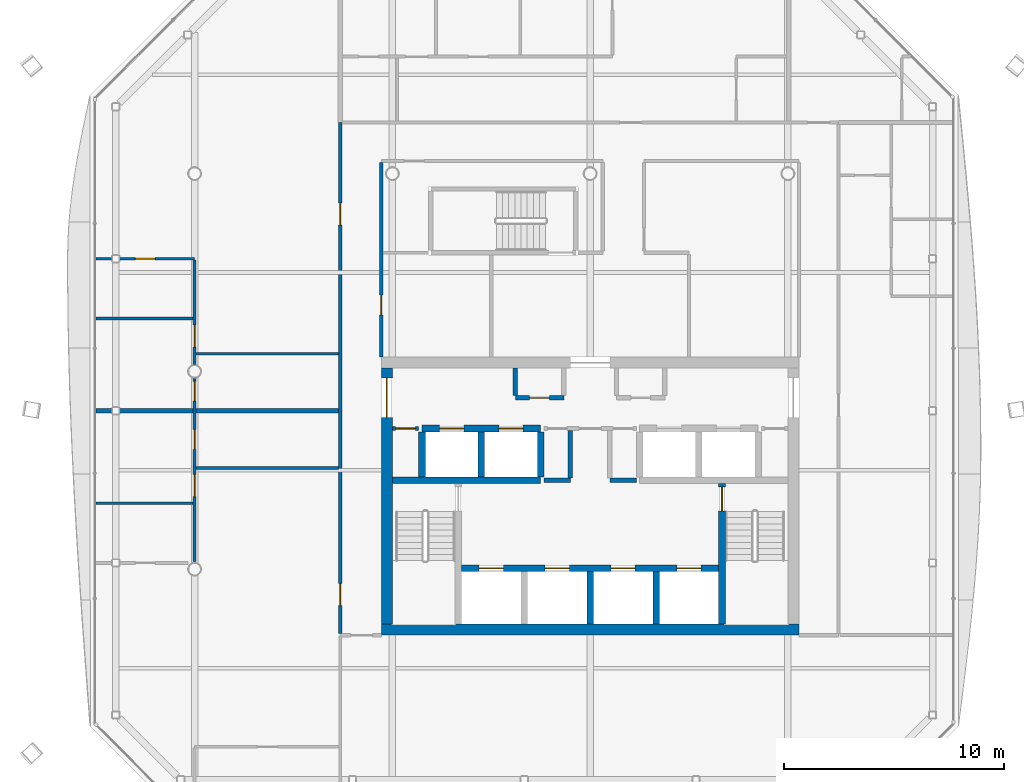
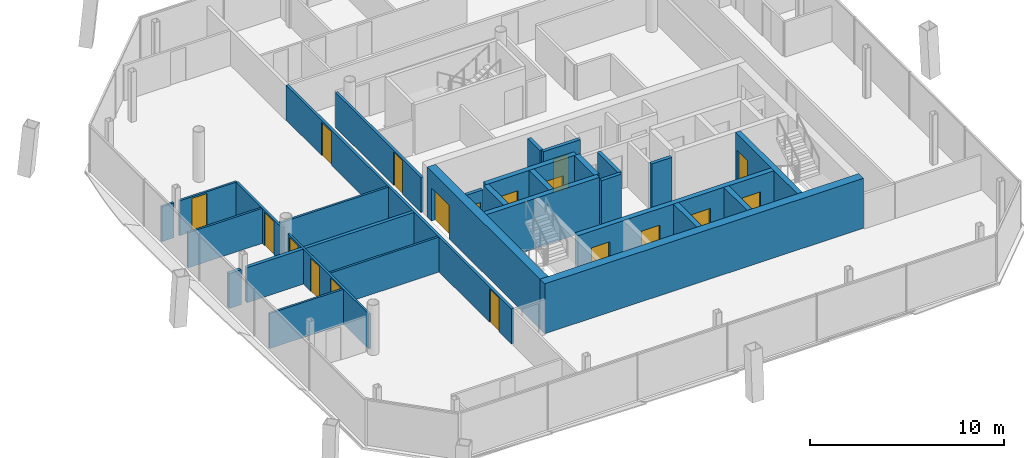
# One storey, part 13 of 19: 29 walls, 18 doors, 18 openings.
"""IFC4 building model written with IfcOpenShell, lengths in metres."""

from ifc_helpers import new_model, si_unit, direction, frame, frame_2d, origin, place, context, subcontext, project, spatial, rectangle, extrude, material, layer, layer_set, type_object, element, fill, save


model = new_model("IFC4")

# Units and contexts
model_context = context("Model", 3, precision=1e-05, world=origin(), true_north=direction((0.0, 1.0)))
body_context = subcontext(model_context, "Body", "Model", "MODEL_VIEW")
ifc_project = project(units=[si_unit("LENGTHUNIT", "METRE"), si_unit("AREAUNIT", "SQUARE_METRE"), si_unit("VOLUMEUNIT", "CUBIC_METRE"), si_unit("PLANEANGLEUNIT", "RADIAN"), si_unit("MASSUNIT", "GRAM", prefix="KILO")], contexts=[model_context])

# Site, building, storey
site_placement = place(None, origin())
site = spatial("IfcSite", under=ifc_project, at=site_placement, CompositionType="ELEMENT")
building_placement = place(site_placement, origin())
building = spatial("IfcBuilding", under=site, at=building_placement, Name="Tskaro Facet Tower", CompositionType="ELEMENT")
storey_placement = place(building_placement, frame((0.0, 0.0, 203.699951171875)))
storey = spatial("IfcBuildingStorey", under=building, at=storey_placement, Name="L52", CompositionType="ELEMENT", Elevation=203.699951171875)

# Wall, openings, doors
ifc_material_1 = material(Name="Concrete C60/75", Category="concrete")
ifc_layer_1 = layer(ifc_material_1, 0.300048828125, Name="Concrete C60/75")
ifc_layer_set_1 = layer_set([ifc_layer_1], Name="Concrete C60/75")
wall_type_1 = type_object("IfcWallType", Name="CORE-SHAFT", PredefinedType="SHEAR", material=ifc_layer_set_1)
wall_1_placement = place(storey_placement, frame((-5.85009765625, -8.949951171875, 0.0), z_axis=(0.0, 0.0, 1.0), x_axis=(1.0, 0.0, 0.0)))
wall_1 = element("IfcWall", 1, at=wall_1_placement, inside=storey, type_object=wall_type_1, Name="Shaft wall W005", PredefinedType="SHEAR", context=body_context, shape_type="SweptSolid", body=[
    extrude(rectangle(XDim=11.7001953125, YDim=0.300048828125, at=frame_2d((5.85009765625, 0.0))), origin(), (0.0, 0.0, 1.0), 3.150146484375),
])
opening_1_placement = place(wall_1_placement, frame((0.800048828125, 0.0, 0.0)))
opening_1 = element("IfcOpeningElement", 2, at=opening_1_placement, cuts=wall_1, Name="Opening LD-FF1", PredefinedType="OPENING", context=body_context, shape_type="SweptSolid", body=[
    extrude(rectangle(XDim=1.10009765625, YDim=2.10009765625, at=frame_2d((0.550048828125, 1.050048828125))), frame((0.0, 0.159912109375, 0.0), z_axis=(0.0, -1.0, 0.0), x_axis=(1.0, 0.0, 0.0)), (0.0, 0.0, 1.0), 0.320068359375),
])
opening_2_placement = place(wall_1_placement, frame((3.800048828125, 0.0, 0.0)))
opening_2 = element("IfcOpeningElement", 3, at=opening_2_placement, cuts=wall_1, Name="Opening LD-FF2", PredefinedType="OPENING", context=body_context, shape_type="SweptSolid", body=[
    extrude(rectangle(XDim=1.10009765625, YDim=2.10009765625, at=frame_2d((0.550048828125, 1.050048828125))), frame((0.0, 0.159912109375, 0.0), z_axis=(0.0, -1.0, 0.0), x_axis=(1.0, 0.0, 0.0)), (0.0, 0.0, 1.0), 0.320068359375),
])
opening_3_placement = place(wall_1_placement, frame((6.800048828125, 0.0, 0.0)))
opening_3 = element("IfcOpeningElement", 4, at=opening_3_placement, cuts=wall_1, Name="Opening LD-SV1", PredefinedType="OPENING", context=body_context, shape_type="SweptSolid", body=[
    extrude(rectangle(XDim=1.10009765625, YDim=2.10009765625, at=frame_2d((0.550048828125, 1.050048828125))), frame((0.0, 0.159912109375, 0.0), z_axis=(0.0, -1.0, 0.0), x_axis=(1.0, 0.0, 0.0)), (0.0, 0.0, 1.0), 0.320068359375),
])
opening_4_placement = place(wall_1_placement, frame((9.800048828125, 0.0, 0.0)))
opening_4 = element("IfcOpeningElement", 5, at=opening_4_placement, cuts=wall_1, Name="Opening LD-SV2", PredefinedType="OPENING", context=body_context, shape_type="SweptSolid", body=[
    extrude(rectangle(XDim=1.10009765625, YDim=2.10009765625, at=frame_2d((0.550048828125, 1.050048828125))), frame((0.0, 0.159912109375, 0.0), z_axis=(0.0, -1.0, 0.0), x_axis=(1.0, 0.0, 0.0)), (0.0, 0.0, 1.0), 0.320068359375),
])
ifc_material_2 = material(Name="Stainless steel", Category="steel")
door_type_1 = type_object("IfcDoorType", Name="D-LANDING", OperationType="NOTDEFINED", PredefinedType="DOOR", material=ifc_material_2)
door_1_placement = place(opening_1_placement, origin())
door_1 = element("IfcDoor", 6, at=door_1_placement, inside=storey, type_object=door_type_1, Name="Landing door FF1", OperationType="DOUBLE_DOOR_SLIDING", OverallHeight=2.10009765625, OverallWidth=1.10009765625, PredefinedType="DOOR", context=body_context, shape_type="SweptSolid", body=[
    extrude(rectangle(XDim=1.10009765625, YDim=2.10009765625, at=frame_2d((0.550048828125, 1.050048828125))), frame((0.0, 0.02490234375, 0.0), z_axis=(0.0, -1.0, 0.0), x_axis=(1.0, 0.0, 0.0)), (0.0, 0.0, 1.0), 0.050048828125),
])
fill(opening_1, door_1)
door_2_placement = place(opening_2_placement, origin())
door_2 = element("IfcDoor", 7, at=door_2_placement, inside=storey, type_object=door_type_1, Name="Landing door FF2", OperationType="DOUBLE_DOOR_SLIDING", OverallHeight=2.10009765625, OverallWidth=1.10009765625, PredefinedType="DOOR", context=body_context, shape_type="SweptSolid", body=[
    extrude(rectangle(XDim=1.10009765625, YDim=2.10009765625, at=frame_2d((0.550048828125, 1.050048828125))), frame((0.0, 0.02490234375, 0.0), z_axis=(0.0, -1.0, 0.0), x_axis=(1.0, 0.0, 0.0)), (0.0, 0.0, 1.0), 0.050048828125),
])
fill(opening_2, door_2)
door_3_placement = place(opening_3_placement, origin())
door_3 = element("IfcDoor", 8, at=door_3_placement, inside=storey, type_object=door_type_1, Name="Landing door SV1", OperationType="DOUBLE_DOOR_SLIDING", OverallHeight=2.10009765625, OverallWidth=1.10009765625, PredefinedType="DOOR", context=body_context, shape_type="SweptSolid", body=[
    extrude(rectangle(XDim=1.10009765625, YDim=2.10009765625, at=frame_2d((0.550048828125, 1.050048828125))), frame((0.0, 0.02490234375, 0.0), z_axis=(0.0, -1.0, 0.0), x_axis=(1.0, 0.0, 0.0)), (0.0, 0.0, 1.0), 0.050048828125),
])
fill(opening_3, door_3)
door_4_placement = place(opening_4_placement, origin())
door_4 = element("IfcDoor", 9, at=door_4_placement, inside=storey, type_object=door_type_1, Name="Landing door SV2", OperationType="DOUBLE_DOOR_SLIDING", OverallHeight=2.10009765625, OverallWidth=1.10009765625, PredefinedType="DOOR", context=body_context, shape_type="SweptSolid", body=[
    extrude(rectangle(XDim=1.10009765625, YDim=2.10009765625, at=frame_2d((0.550048828125, 1.050048828125))), frame((0.0, 0.02490234375, 0.0), z_axis=(0.0, -1.0, 0.0), x_axis=(1.0, 0.0, 0.0)), (0.0, 0.0, 1.0), 0.050048828125),
])
fill(opening_4, door_4)

# Wall
wall_2_placement = place(storey_placement, frame((-9.0, -4.949951171875, 0.0), z_axis=(0.0, 0.0, 1.0), x_axis=(1.0, 0.0, 0.0)))
element("IfcWall", 10, at=wall_2_placement, inside=storey, type_object=wall_type_1, Name="Shaft wall W009", PredefinedType="SHEAR", context=body_context, shape_type="SweptSolid", body=[
    extrude(rectangle(XDim=6.75, YDim=0.300048828125, at=frame_2d((3.375, 0.0))), origin(), (0.0, 0.0, 1.0), 3.150146484375),
])

# Wall, openings, doors
wall_3_placement = place(storey_placement, frame((-7.64990234375, -2.60009765625, 0.0), z_axis=(0.0, 0.0, 1.0), x_axis=(1.0, 0.0, 0.0)))
wall_3 = element("IfcWall", 11, at=wall_3_placement, inside=storey, type_object=wall_type_1, Name="Shaft wall W015", PredefinedType="SHEAR", context=body_context, shape_type="SweptSolid", body=[
    extrude(rectangle(XDim=5.39990234375, YDim=0.300048828125, at=frame_2d((2.699951171875, 0.0))), origin(), (0.0, 0.0, 1.0), 3.150146484375),
])
opening_5_placement = place(wall_3_placement, frame((0.800048828125, 0.0, 0.0)))
opening_5 = element("IfcOpeningElement", 12, at=opening_5_placement, cuts=wall_3, Name="Opening LD-HB1", PredefinedType="OPENING", context=body_context, shape_type="SweptSolid", body=[
    extrude(rectangle(XDim=1.10009765625, YDim=2.10009765625, at=frame_2d((0.550048828125, 1.050048828125))), frame((0.0, 0.159912109375, 0.0), z_axis=(0.0, -1.0, 0.0), x_axis=(1.0, 0.0, 0.0)), (0.0, 0.0, 1.0), 0.320068359375),
])
opening_6_placement = place(wall_3_placement, frame((3.5, 0.0, 0.0)))
opening_6 = element("IfcOpeningElement", 13, at=opening_6_placement, cuts=wall_3, Name="Opening LD-HB2", PredefinedType="OPENING", context=body_context, shape_type="SweptSolid", body=[
    extrude(rectangle(XDim=1.10009765625, YDim=2.10009765625, at=frame_2d((0.550048828125, 1.050048828125))), frame((0.0, 0.159912109375, 0.0), z_axis=(0.0, -1.0, 0.0), x_axis=(1.0, 0.0, 0.0)), (0.0, 0.0, 1.0), 0.320068359375),
])
door_5_placement = place(opening_5_placement, origin())
door_5 = element("IfcDoor", 14, at=door_5_placement, inside=storey, type_object=door_type_1, Name="Landing door HB1", OperationType="DOUBLE_DOOR_SLIDING", OverallHeight=2.10009765625, OverallWidth=1.10009765625, PredefinedType="DOOR", context=body_context, shape_type="SweptSolid", body=[
    extrude(rectangle(XDim=1.10009765625, YDim=2.10009765625, at=frame_2d((0.550048828125, 1.050048828125))), frame((0.0, 0.02490234375, 0.0), z_axis=(0.0, -1.0, 0.0), x_axis=(1.0, 0.0, 0.0)), (0.0, 0.0, 1.0), 0.050048828125),
])
fill(opening_5, door_5)
door_6_placement = place(opening_6_placement, origin())
door_6 = element("IfcDoor", 15, at=door_6_placement, inside=storey, type_object=door_type_1, Name="Landing door HB2", OperationType="DOUBLE_DOOR_SLIDING", OverallHeight=2.10009765625, OverallWidth=1.10009765625, PredefinedType="DOOR", context=body_context, shape_type="SweptSolid", body=[
    extrude(rectangle(XDim=1.10009765625, YDim=2.10009765625, at=frame_2d((0.550048828125, 1.050048828125))), frame((0.0, 0.02490234375, 0.0), z_axis=(0.0, -1.0, 0.0), x_axis=(1.0, 0.0, 0.0)), (0.0, 0.0, 1.0), 0.050048828125),
])
fill(opening_6, door_6)

# Walls
for number, where, z_axis, x_axis, name in (
    (16, (-7.64990234375, -4.800048828125, 0.0), (0.0, 0.0, 1.0), (0.0, 1.0, 0.0), "Shaft wall W051"),
    (17, (-4.949951171875, -4.800048828125, 0.0), (0.0, 0.0, 1.0), (0.0, 1.0, 0.0), "Shaft wall W056"),
    (18, (-2.25, -4.800048828125, 0.0), (0.0, 0.0, 1.0), (0.0, 1.0, 0.0), "Shaft wall W061"),
):
    element("IfcWall", number, at=place(storey_placement, frame(where, z_axis=z_axis, x_axis=x_axis)), inside=storey, type_object=wall_type_1, Name=name, PredefinedType="SHEAR", context=body_context, shape_type="SweptSolid", body=[
        extrude(rectangle(XDim=2.050048828125, YDim=0.300048828125, at=frame_2d((1.02490234375, 0.0))), origin(), (0.0, 0.0, 1.0), 3.150146484375),
    ])
for number, where, z_axis, x_axis, name in (
    (19, (0.0, -11.5, 0.0), (0.0, 0.0, 1.0), (0.0, 1.0, 0.0), "Shaft wall W065"),
    (20, (3.0, -11.5, 0.0), (0.0, 0.0, 1.0), (0.0, 1.0, 0.0), "Shaft wall W073"),
):
    element("IfcWall", number, at=place(storey_placement, frame(where, z_axis=z_axis, x_axis=x_axis)), inside=storey, type_object=wall_type_1, Name=name, PredefinedType="SHEAR", context=body_context, shape_type="SweptSolid", body=[
        extrude(rectangle(XDim=2.39990234375, YDim=0.300048828125, at=frame_2d((1.199951171875, 0.0))), origin(), (0.0, 0.0, 1.0), 3.150146484375),
    ])

# Wall, opening, door
wall_4_placement = place(storey_placement, frame((6.0, -5.10009765625, 0.0), z_axis=(0.0, 0.0, 1.0), x_axis=(0.0, -1.0, 0.0)))
wall_4 = element("IfcWall", 21, at=wall_4_placement, inside=storey, type_object=wall_type_1, Name="Shaft wall W077", PredefinedType="SHEAR", context=body_context, shape_type="SweptSolid", body=[
    extrude(rectangle(XDim=6.39990234375, YDim=0.300048828125, at=frame_2d((3.199951171875, 0.0))), origin(), (0.0, 0.0, 1.0), 3.150146484375),
])
opening_7_placement = place(wall_4_placement, frame((0.14990234375, 0.0, 0.0)))
opening_7 = element("IfcOpeningElement", 22, at=opening_7_placement, cuts=wall_4, Name="Opening ST-2-D1", PredefinedType="OPENING", context=body_context, shape_type="SweptSolid", body=[
    extrude(rectangle(XDim=1.10009765625, YDim=2.10009765625, at=frame_2d((0.550048828125, 1.050048828125))), frame((0.0, 0.159912109375, 0.0), z_axis=(0.0, -1.0, 0.0), x_axis=(1.0, 0.0, 0.0)), (0.0, 0.0, 1.0), 0.320068359375),
])
ifc_material_3 = material(Name="Steel", Category="steel")
door_type_2 = type_object("IfcDoorType", Name="D-STAIR", OperationType="NOTDEFINED", PredefinedType="DOOR", material=ifc_material_3)
door_7_placement = place(opening_7_placement, origin())
door_7 = element("IfcDoor", 23, at=door_7_placement, inside=storey, type_object=door_type_2, Name="Stair door 2", OperationType="SINGLE_SWING_RIGHT", OverallHeight=2.10009765625, OverallWidth=1.10009765625, PredefinedType="DOOR", context=body_context, shape_type="SweptSolid", body=[
    extrude(rectangle(XDim=1.10009765625, YDim=2.10009765625, at=frame_2d((0.550048828125, 1.050048828125))), frame((0.0, 0.02490234375, 0.0), z_axis=(0.0, -1.0, 0.0), x_axis=(1.0, 0.0, 0.0)), (0.0, 0.0, 1.0), 0.050048828125),
])
fill(opening_7, door_7)

# Walls
ifc_material_4 = material(Name="Concrete C20/25", Category="concrete")
ifc_layer_2 = layer(ifc_material_4, 0.199951171875, Name="Concrete C20/25")
ifc_layer_set_2 = layer_set([ifc_layer_2], Name="Concrete C20/25")
wall_type_2 = type_object("IfcWallType", Name="CORE-WALL", PredefinedType="SOLIDWALL", material=ifc_layer_set_2)
for number, where, z_axis, x_axis, name in (
    (24, (-2.10009765625, -4.949951171875, 0.0), (0.0, 0.0, 1.0), (1.0, 0.0, 0.0), "Core room wall W010"),
    (25, (0.89990234375, -4.949951171875, 0.0), (0.0, 0.0, 1.0), (1.0, 0.0, 0.0), "Core room wall W011"),
):
    element("IfcWall", number, at=place(storey_placement, frame(where, z_axis=z_axis, x_axis=x_axis)), inside=storey, type_object=wall_type_2, Name=name, PredefinedType="SOLIDWALL", context=body_context, shape_type="SweptSolid", body=[
        extrude(rectangle(XDim=1.2001953125, YDim=0.199951171875, at=frame_2d((0.60009765625, 0.0))), origin(), (0.0, 0.0, 1.0), 2.85009765625),
    ])

# Wall, opening, door
wall_5_placement = place(storey_placement, frame((-7.800048828125, -2.60009765625, 0.0), z_axis=(0.0, 0.0, 1.0), x_axis=(-1.0, 0.0, 0.0)))
wall_5 = element("IfcWall", 26, at=wall_5_placement, inside=storey, type_object=wall_type_2, Name="Core room wall W014", PredefinedType="SOLIDWALL", context=body_context, shape_type="SweptSolid", body=[
    extrude(rectangle(XDim=1.199951171875, YDim=0.199951171875, at=frame_2d((0.60009765625, 0.0))), origin(), (0.0, 0.0, 1.0), 2.85009765625),
])
opening_8_placement = place(wall_5_placement, frame((0.14990234375, 0.0, 0.0)))
opening_8 = element("IfcOpeningElement", 27, at=opening_8_placement, cuts=wall_5, Name="Opening T15-D07", PredefinedType="OPENING", context=body_context, shape_type="SweptSolid", body=[
    extrude(rectangle(XDim=0.89990234375, YDim=2.10009765625, at=frame_2d((0.449951171875, 1.050048828125))), frame((0.0, 0.10986328125, 0.0), z_axis=(0.0, -1.0, 0.0), x_axis=(1.0, 0.0, 0.0)), (0.0, 0.0, 1.0), 0.219970703125),
])
ifc_material_5 = material(Name="Timber", Category="wood")
door_type_3 = type_object("IfcDoorType", Name="D-ROOM", OperationType="NOTDEFINED", PredefinedType="DOOR", material=ifc_material_5)
door_8_placement = place(opening_8_placement, origin())
door_8 = element("IfcDoor", 28, at=door_8_placement, inside=storey, type_object=door_type_3, Name="Door T15-D07", OperationType="SINGLE_SWING_RIGHT", OverallHeight=2.10009765625, OverallWidth=0.89990234375, PredefinedType="DOOR", context=body_context, shape_type="SweptSolid", body=[
    extrude(rectangle(XDim=0.89990234375, YDim=2.10009765625, at=frame_2d((0.449951171875, 1.050048828125))), frame((0.0, 0.02490234375, 0.0), z_axis=(0.0, -1.0, 0.0), x_axis=(1.0, 0.0, 0.0)), (0.0, 0.0, 1.0), 0.050048828125),
])
fill(opening_8, door_8)

wall_6_placement = place(storey_placement, frame((-3.39990234375, -1.199951171875, 0.0), z_axis=(0.0, 0.0, 1.0), x_axis=(1.0, 0.0, 0.0)))
wall_6 = element("IfcWall", 29, at=wall_6_placement, inside=storey, type_object=wall_type_2, Name="Core room wall W021", PredefinedType="SOLIDWALL", context=body_context, shape_type="SweptSolid", body=[
    extrude(rectangle(XDim=2.199951171875, YDim=0.199951171875, at=frame_2d((1.10009765625, 0.0))), origin(), (0.0, 0.0, 1.0), 2.85009765625),
])
opening_9_placement = place(wall_6_placement, frame((0.64990234375, 0.0, 0.0)))
opening_9 = element("IfcOpeningElement", 30, at=opening_9_placement, cuts=wall_6, Name="Opening T15-D13", PredefinedType="OPENING", context=body_context, shape_type="SweptSolid", body=[
    extrude(rectangle(XDim=0.89990234375, YDim=2.10009765625, at=frame_2d((0.449951171875, 1.050048828125))), frame((0.0, 0.10986328125, 0.0), z_axis=(0.0, -1.0, 0.0), x_axis=(1.0, 0.0, 0.0)), (0.0, 0.0, 1.0), 0.219970703125),
])
door_9_placement = place(opening_9_placement, origin())
door_9 = element("IfcDoor", 31, at=door_9_placement, inside=storey, type_object=door_type_3, Name="Door T15-D13", OperationType="SINGLE_SWING_LEFT", OverallHeight=2.10009765625, OverallWidth=0.89990234375, PredefinedType="DOOR", context=body_context, shape_type="SweptSolid", body=[
    extrude(rectangle(XDim=0.89990234375, YDim=2.10009765625, at=frame_2d((0.449951171875, 1.050048828125))), frame((0.0, 0.02490234375, 0.0), z_axis=(0.0, -1.0, 0.0), x_axis=(1.0, 0.0, 0.0)), (0.0, 0.0, 1.0), 0.050048828125),
])
fill(opening_9, door_9)

# Walls
wall_7_placement = place(storey_placement, frame((-3.39990234375, -1.10009765625, 0.0), z_axis=(0.0, 0.0, 1.0), x_axis=(0.0, 1.0, 0.0)))
element("IfcWall", 32, at=wall_7_placement, inside=storey, type_object=wall_type_2, Name="Core room wall W058", PredefinedType="SOLIDWALL", context=body_context, shape_type="SweptSolid", body=[
    extrude(rectangle(XDim=1.25, YDim=0.199951171875, at=frame_2d((0.625, 0.0))), origin(), (0.0, 0.0, 1.0), 2.85009765625),
])
wall_8_placement = place(storey_placement, frame((-0.89990234375, -4.85009765625, 0.0), z_axis=(0.0, 0.0, 1.0), x_axis=(0.0, 1.0, 0.0)))
element("IfcWall", 33, at=wall_8_placement, inside=storey, type_object=wall_type_2, Name="Core room wall W063", PredefinedType="SOLIDWALL", context=body_context, shape_type="SweptSolid", body=[
    extrude(rectangle(XDim=2.150146484375, YDim=0.199951171875, at=frame_2d((1.0751953125, 0.0))), origin(), (0.0, 0.0, 1.0), 2.85009765625),
])
ifc_material_6 = material(Name="Concrete C40/50", Category="concrete")
ifc_layer_3 = layer(ifc_material_6, 0.5, Name="Concrete C40/50")
ifc_layer_set_3 = layer_set([ifc_layer_3], Name="Concrete C40/50")
wall_type_3 = type_object("IfcWallType", Name="Core wall 500", PredefinedType="SHEAR", material=ifc_layer_set_3)
wall_9_placement = place(storey_placement, frame((-9.5, -11.75, 0.0), z_axis=(0.0, 0.0, 1.0), x_axis=(1.0, 0.0, 0.0)))
element("IfcWall", 34, at=wall_9_placement, inside=storey, type_object=wall_type_3, Name="Core wall CW-Z3S", PredefinedType="SHEAR", context=body_context, shape_type="SweptSolid", body=[
    extrude(rectangle(XDim=19.0, YDim=0.5, at=frame_2d((9.5, 0.0))), origin(), (0.0, 0.0, 1.0), 3.150146484375),
])

# Wall, opening, door
wall_10_placement = place(storey_placement, frame((-9.25, -11.5, 0.0), z_axis=(0.0, 0.0, 1.0), x_axis=(0.0, 1.0, 0.0)))
wall_10 = element("IfcWall", 35, at=wall_10_placement, inside=storey, type_object=wall_type_3, Name="Core wall CW-Z3W", PredefinedType="SHEAR", context=body_context, shape_type="SweptSolid", body=[
    extrude(rectangle(XDim=11.64990234375, YDim=0.5, at=frame_2d((5.824951171875, 0.0))), origin(), (0.0, 0.0, 1.0), 3.150146484375),
])
opening_10_placement = place(wall_10_placement, frame((9.39990234375, 0.0, 0.0)))
opening_10 = element("IfcOpeningElement", 36, at=opening_10_placement, cuts=wall_10, Name="Opening T15-D12", PredefinedType="OPENING", context=body_context, shape_type="SweptSolid", body=[
    extrude(rectangle(XDim=1.800048828125, YDim=2.10009765625, at=frame_2d((0.89990234375, 1.050048828125))), frame((0.0, 0.260009765625, 0.0), z_axis=(0.0, -1.0, 0.0), x_axis=(1.0, 0.0, 0.0)), (0.0, 0.0, 1.0), 0.52001953125),
])
door_type_4 = type_object("IfcDoorType", Name="D-CORE-PAIR", OperationType="NOTDEFINED", PredefinedType="DOOR", material=ifc_material_3)
door_10_placement = place(opening_10_placement, origin())
door_10 = element("IfcDoor", 37, at=door_10_placement, inside=storey, type_object=door_type_4, Name="Door T15-D12", OperationType="DOUBLE_DOOR_SINGLE_SWING", OverallHeight=2.10009765625, OverallWidth=1.800048828125, PredefinedType="DOOR", context=body_context, shape_type="SweptSolid", body=[
    extrude(rectangle(XDim=1.800048828125, YDim=2.10009765625, at=frame_2d((0.89990234375, 1.050048828125))), frame((0.0, 0.02490234375, 0.0), z_axis=(0.0, -1.0, 0.0), x_axis=(1.0, 0.0, 0.0)), (0.0, 0.0, 1.0), 0.050048828125),
])
fill(opening_10, door_10)

# Walls
ifc_material_7 = material(Name="Gypsum board on steel studs", Category="steel")
ifc_layer_4 = layer(ifc_material_7, 0.125, Name="Gypsum board on steel studs")
ifc_layer_set_4 = layer_set([ifc_layer_4], Name="Gypsum board on steel studs")
wall_type_4 = type_object("IfcWallType", Name="PART", PredefinedType="PARTITIONING", material=ifc_layer_set_4)
wall_11_placement = place(storey_placement, frame((-22.48291015625, -5.9951171875, 0.0), z_axis=(0.0, 0.0, 1.0), x_axis=(1.0, 0.0, 0.0)))
element("IfcWall", 38, at=wall_11_placement, inside=storey, type_object=wall_type_4, Name="Partition W008", PredefinedType="PARTITIONING", context=body_context, shape_type="SweptSolid", body=[
    extrude(rectangle(XDim=4.42041015625, YDim=0.125, at=frame_2d((2.210205078125, 0.0))), origin(), (0.0, 0.0, 1.0), 2.2099609375),
])
for number, where, z_axis, x_axis, name in (
    (39, (-17.9375, -4.39501953125, 0.0), (0.0, 0.0, 1.0), (1.0, 0.0, 0.0), "Partition W013"),
    (40, (-17.9375, 0.804931640625, 0.0), (0.0, 0.0, 1.0), (1.0, 0.0, 0.0), "Partition W023"),
):
    element("IfcWall", number, at=place(storey_placement, frame(where, z_axis=z_axis, x_axis=x_axis)), inside=storey, type_object=wall_type_4, Name=name, PredefinedType="PARTITIONING", context=body_context, shape_type="SweptSolid", body=[
        extrude(rectangle(XDim=6.487548828125, YDim=0.125, at=frame_2d((3.24365234375, 0.0))), origin(), (0.0, 0.0, 1.0), 2.2099609375),
    ])
wall_12_placement = place(storey_placement, frame((-22.48291015625, 2.405029296875, 0.0), z_axis=(0.0, 0.0, 1.0), x_axis=(1.0, 0.0, 0.0)))
element("IfcWall", 41, at=wall_12_placement, inside=storey, type_object=wall_type_4, Name="Partition W024", PredefinedType="PARTITIONING", context=body_context, shape_type="SweptSolid", body=[
    extrude(rectangle(XDim=4.42041015625, YDim=0.125, at=frame_2d((2.210205078125, 0.0))), origin(), (0.0, 0.0, 1.0), 2.2099609375),
])
wall_13_placement = place(storey_placement, frame((-22.48291015625, 5.125, 0.0), z_axis=(0.0, 0.0, 1.0), x_axis=(1.0, 0.0, 0.0)))
element("IfcWall", 42, at=wall_13_placement, inside=storey, type_object=wall_type_4, Name="Partition W026", PredefinedType="PARTITIONING", context=body_context, shape_type="SweptSolid", body=[
    extrude(rectangle(XDim=0.724853515625, YDim=0.125, at=frame_2d((0.3623046875, 0.0))), origin(), (0.0, 0.0, 1.0), 2.2099609375),
])

# Wall, opening, door
wall_14_placement = place(storey_placement, frame((-18.0, 5.125, 0.0), z_axis=(0.0, 0.0, 1.0), x_axis=(-1.0, 0.0, 0.0)))
wall_14 = element("IfcWall", 43, at=wall_14_placement, inside=storey, type_object=wall_type_4, Name="Partition W027", PredefinedType="PARTITIONING", context=body_context, shape_type="SweptSolid", body=[
    extrude(rectangle(XDim=3.407958984375, YDim=0.125, at=frame_2d((1.7041015625, 0.0))), origin(), (0.0, 0.0, 1.0), 2.2099609375),
])
opening_11_placement = place(wall_14_placement, frame((1.79150390625, 0.0, 0.0)))
opening_11 = element("IfcOpeningElement", 44, at=opening_11_placement, cuts=wall_14, Name="Opening T15-D20", PredefinedType="OPENING", context=body_context, shape_type="SweptSolid", body=[
    extrude(rectangle(XDim=0.89990234375, YDim=2.10009765625, at=frame_2d((0.449951171875, 1.050048828125))), frame((0.0, 0.072509765625, 0.0), z_axis=(0.0, -1.0, 0.0), x_axis=(1.0, 0.0, 0.0)), (0.0, 0.0, 1.0), 0.14501953125),
])
door_11_placement = place(opening_11_placement, origin())
door_11 = element("IfcDoor", 45, at=door_11_placement, inside=storey, type_object=door_type_3, Name="Door T15-D20", OperationType="SINGLE_SWING_RIGHT", OverallHeight=2.10009765625, OverallWidth=0.89990234375, PredefinedType="DOOR", context=body_context, shape_type="SweptSolid", body=[
    extrude(rectangle(XDim=0.89990234375, YDim=2.10009765625, at=frame_2d((0.449951171875, 1.050048828125))), frame((0.0, 0.02490234375, 0.0), z_axis=(0.0, -1.0, 0.0), x_axis=(1.0, 0.0, 0.0)), (0.0, 0.0, 1.0), 0.050048828125),
])
fill(opening_11, door_11)

# Wall, openings, doors
wall_15_placement = place(storey_placement, frame((-18.0, -8.652587890625, 0.0), z_axis=(0.0, 0.0, 1.0), x_axis=(0.0, 1.0, 0.0)))
wall_15 = element("IfcWall", 46, at=wall_15_placement, inside=storey, type_object=wall_type_4, Name="Partition W044", PredefinedType="PARTITIONING", context=body_context, shape_type="SweptSolid", body=[
    extrude(rectangle(XDim=8.34765625, YDim=0.125, at=frame_2d((4.173828125, 0.0))), origin(), (0.0, 0.0, 1.0), 2.2099609375),
])
opening_12_placement = place(wall_15_placement, frame((2.95751953125, 0.0, 0.0)))
opening_12 = element("IfcOpeningElement", 47, at=opening_12_placement, cuts=wall_15, Name="Opening T15-D05", PredefinedType="OPENING", context=body_context, shape_type="SweptSolid", body=[
    extrude(rectangle(XDim=1.0, YDim=2.10009765625, at=frame_2d((0.5, 1.050048828125))), frame((0.0, 0.072509765625, 0.0), z_axis=(0.0, -1.0, 0.0), x_axis=(1.0, 0.0, 0.0)), (0.0, 0.0, 1.0), 0.14501953125),
])
opening_13_placement = place(wall_15_placement, frame((5.107421875, 0.0, 0.0)))
opening_13 = element("IfcOpeningElement", 48, at=opening_13_placement, cuts=wall_15, Name="Opening T15-D06", PredefinedType="OPENING", context=body_context, shape_type="SweptSolid", body=[
    extrude(rectangle(XDim=0.89990234375, YDim=2.10009765625, at=frame_2d((0.449951171875, 1.050048828125))), frame((0.0, 0.072509765625, 0.0), z_axis=(0.0, -1.0, 0.0), x_axis=(1.0, 0.0, 0.0)), (0.0, 0.0, 1.0), 0.14501953125),
])
opening_14_placement = place(wall_15_placement, frame((7.297607421875, 0.0, 0.0)))
opening_14 = element("IfcOpeningElement", 49, at=opening_14_placement, cuts=wall_15, Name="Opening T15-D16", PredefinedType="OPENING", context=body_context, shape_type="SweptSolid", body=[
    extrude(rectangle(XDim=0.89990234375, YDim=2.10009765625, at=frame_2d((0.449951171875, 1.050048828125))), frame((0.0, 0.072509765625, 0.0), z_axis=(0.0, -1.0, 0.0), x_axis=(1.0, 0.0, 0.0)), (0.0, 0.0, 1.0), 0.14501953125),
])
door_12_placement = place(opening_13_placement, origin())
door_12 = element("IfcDoor", 50, at=door_12_placement, inside=storey, type_object=door_type_3, Name="Door T15-D06", OperationType="SINGLE_SWING_LEFT", OverallHeight=2.10009765625, OverallWidth=0.89990234375, PredefinedType="DOOR", context=body_context, shape_type="SweptSolid", body=[
    extrude(rectangle(XDim=0.89990234375, YDim=2.10009765625, at=frame_2d((0.449951171875, 1.050048828125))), frame((0.0, 0.02490234375, 0.0), z_axis=(0.0, -1.0, 0.0), x_axis=(1.0, 0.0, 0.0)), (0.0, 0.0, 1.0), 0.050048828125),
])
fill(opening_13, door_12)
door_13_placement = place(opening_14_placement, origin())
door_13 = element("IfcDoor", 51, at=door_13_placement, inside=storey, type_object=door_type_3, Name="Door T15-D16", OperationType="SINGLE_SWING_LEFT", OverallHeight=2.10009765625, OverallWidth=0.89990234375, PredefinedType="DOOR", context=body_context, shape_type="SweptSolid", body=[
    extrude(rectangle(XDim=0.89990234375, YDim=2.10009765625, at=frame_2d((0.449951171875, 1.050048828125))), frame((0.0, 0.02490234375, 0.0), z_axis=(0.0, -1.0, 0.0), x_axis=(1.0, 0.0, 0.0)), (0.0, 0.0, 1.0), 0.050048828125),
])
fill(opening_14, door_13)
door_type_5 = type_object("IfcDoorType", Name="D-ROOM-WIDE", OperationType="NOTDEFINED", PredefinedType="DOOR", material=ifc_material_5)
door_14_placement = place(opening_12_placement, origin())
door_14 = element("IfcDoor", 52, at=door_14_placement, inside=storey, type_object=door_type_5, Name="Door T15-D05", OperationType="SINGLE_SWING_LEFT", OverallHeight=2.10009765625, OverallWidth=1.0, PredefinedType="DOOR", context=body_context, shape_type="SweptSolid", body=[
    extrude(rectangle(XDim=1.0, YDim=2.10009765625, at=frame_2d((0.5, 1.050048828125))), frame((0.0, 0.02490234375, 0.0), z_axis=(0.0, -1.0, 0.0), x_axis=(1.0, 0.0, 0.0)), (0.0, 0.0, 1.0), 0.050048828125),
])
fill(opening_12, door_14)

# Wall, opening, door
wall_16_placement = place(storey_placement, frame((-18.0, 0.304931640625, 0.0), z_axis=(0.0, 0.0, 1.0), x_axis=(0.0, 1.0, 0.0)))
wall_16 = element("IfcWall", 53, at=wall_16_placement, inside=storey, type_object=wall_type_4, Name="Partition W045", PredefinedType="PARTITIONING", context=body_context, shape_type="SweptSolid", body=[
    extrude(rectangle(XDim=4.757568359375, YDim=0.125, at=frame_2d((2.37890625, 0.0))), origin(), (0.0, 0.0, 1.0), 2.2099609375),
])
opening_15_placement = place(wall_16_placement, frame((0.800048828125, 0.0, 0.0)))
opening_15 = element("IfcOpeningElement", 54, at=opening_15_placement, cuts=wall_16, Name="Opening T15-D18", PredefinedType="OPENING", context=body_context, shape_type="SweptSolid", body=[
    extrude(rectangle(XDim=1.0, YDim=2.10009765625, at=frame_2d((0.5, 1.050048828125))), frame((0.0, 0.072509765625, 0.0), z_axis=(0.0, -1.0, 0.0), x_axis=(1.0, 0.0, 0.0)), (0.0, 0.0, 1.0), 0.14501953125),
])
door_15_placement = place(opening_15_placement, origin())
door_15 = element("IfcDoor", 55, at=door_15_placement, inside=storey, type_object=door_type_5, Name="Door T15-D18", OperationType="SINGLE_SWING_RIGHT", OverallHeight=2.10009765625, OverallWidth=1.0, PredefinedType="DOOR", context=body_context, shape_type="SweptSolid", body=[
    extrude(rectangle(XDim=1.0, YDim=2.10009765625, at=frame_2d((0.5, 1.050048828125))), frame((0.0, 0.02490234375, 0.0), z_axis=(0.0, -1.0, 0.0), x_axis=(1.0, 0.0, 0.0)), (0.0, 0.0, 1.0), 0.050048828125),
])
fill(opening_15, door_15)

# Wall, openings, doors
ifc_layer_5 = layer(ifc_material_7, 0.14990234375, Name="Gypsum board on steel studs")
ifc_layer_set_5 = layer_set([ifc_layer_5], Name="Gypsum board on steel studs")
wall_type_5 = type_object("IfcWallType", Name="PART-CORR", PredefinedType="PARTITIONING", material=ifc_layer_set_5)
wall_17_placement = place(storey_placement, frame((-11.375, -11.925048828125, 0.0), z_axis=(0.0, 0.0, 1.0), x_axis=(0.0, 1.0, 0.0)))
wall_17 = element("IfcWall", 56, at=wall_17_placement, inside=storey, type_object=wall_type_5, Name="Corridor wall W047", PredefinedType="PARTITIONING", context=body_context, shape_type="SweptSolid", body=[
    extrude(rectangle(XDim=23.25, YDim=0.14990234375, at=frame_2d((11.625, 0.0))), origin(), (0.0, 0.0, 1.0), 2.2099609375),
])
opening_16_placement = place(wall_17_placement, frame((1.262451171875, 0.0, 0.0)))
opening_16 = element("IfcOpeningElement", 57, at=opening_16_placement, cuts=wall_17, Name="Opening T15-D03", PredefinedType="OPENING", context=body_context, shape_type="SweptSolid", body=[
    extrude(rectangle(XDim=1.0, YDim=2.10009765625, at=frame_2d((0.5, 1.050048828125))), frame((0.0, 0.0849609375, 0.0), z_axis=(0.0, -1.0, 0.0), x_axis=(1.0, 0.0, 0.0)), (0.0, 0.0, 1.0), 0.169921875),
])
opening_17_placement = place(wall_17_placement, frame((18.58251953125, 0.0, 0.0)))
opening_17 = element("IfcOpeningElement", 58, at=opening_17_placement, cuts=wall_17, Name="Opening T15-D23", PredefinedType="OPENING", context=body_context, shape_type="SweptSolid", body=[
    extrude(rectangle(XDim=1.0, YDim=2.10009765625, at=frame_2d((0.5, 1.050048828125))), frame((0.0, 0.0849609375, 0.0), z_axis=(0.0, -1.0, 0.0), x_axis=(1.0, 0.0, 0.0)), (0.0, 0.0, 1.0), 0.169921875),
])
door_type_6 = type_object("IfcDoorType", Name="D-FLAT-ENTRY", OperationType="NOTDEFINED", PredefinedType="DOOR", material=ifc_material_5)
door_16_placement = place(opening_16_placement, origin())
door_16 = element("IfcDoor", 59, at=door_16_placement, inside=storey, type_object=door_type_6, Name="Door T15-D03", OperationType="SINGLE_SWING_LEFT", OverallHeight=2.10009765625, OverallWidth=1.0, PredefinedType="DOOR", context=body_context, shape_type="SweptSolid", body=[
    extrude(rectangle(XDim=1.0, YDim=2.10009765625, at=frame_2d((0.5, 1.050048828125))), frame((0.0, 0.02490234375, 0.0), z_axis=(0.0, -1.0, 0.0), x_axis=(1.0, 0.0, 0.0)), (0.0, 0.0, 1.0), 0.050048828125),
])
fill(opening_16, door_16)
door_17_placement = place(opening_17_placement, origin())
door_17 = element("IfcDoor", 60, at=door_17_placement, inside=storey, type_object=door_type_6, Name="Door T15-D23", OperationType="SINGLE_SWING_LEFT", OverallHeight=2.10009765625, OverallWidth=1.0, PredefinedType="DOOR", context=body_context, shape_type="SweptSolid", body=[
    extrude(rectangle(XDim=1.0, YDim=2.10009765625, at=frame_2d((0.5, 1.050048828125))), frame((0.0, 0.02490234375, 0.0), z_axis=(0.0, -1.0, 0.0), x_axis=(1.0, 0.0, 0.0)), (0.0, 0.0, 1.0), 0.050048828125),
])
fill(opening_17, door_17)

# Wall, opening, door
wall_18_placement = place(storey_placement, frame((-9.5, 9.5, 0.0), z_axis=(0.0, 0.0, 1.0), x_axis=(0.0, -1.0, 0.0)))
wall_18 = element("IfcWall", 61, at=wall_18_placement, inside=storey, type_object=wall_type_5, Name="Corridor wall W049", PredefinedType="PARTITIONING", context=body_context, shape_type="SweptSolid", body=[
    extrude(rectangle(XDim=8.85009765625, YDim=0.14990234375, at=frame_2d((4.425048828125, 0.0))), origin(), (0.0, 0.0, 1.0), 2.2099609375),
])
opening_18_placement = place(wall_18_placement, frame((6.02490234375, 0.0, 0.0)))
opening_18 = element("IfcOpeningElement", 62, at=opening_18_placement, cuts=wall_18, Name="Opening T15-D19", PredefinedType="OPENING", context=body_context, shape_type="SweptSolid", body=[
    extrude(rectangle(XDim=0.89990234375, YDim=2.10009765625, at=frame_2d((0.449951171875, 1.050048828125))), frame((0.0, 0.0849609375, 0.0), z_axis=(0.0, -1.0, 0.0), x_axis=(1.0, 0.0, 0.0)), (0.0, 0.0, 1.0), 0.169921875),
])
door_18_placement = place(opening_18_placement, origin())
door_18 = element("IfcDoor", 63, at=door_18_placement, inside=storey, type_object=door_type_3, Name="Door T15-D19", OperationType="SINGLE_SWING_RIGHT", OverallHeight=2.10009765625, OverallWidth=0.89990234375, PredefinedType="DOOR", context=body_context, shape_type="SweptSolid", body=[
    extrude(rectangle(XDim=0.89990234375, YDim=2.10009765625, at=frame_2d((0.449951171875, 1.050048828125))), frame((0.0, 0.02490234375, 0.0), z_axis=(0.0, -1.0, 0.0), x_axis=(1.0, 0.0, 0.0)), (0.0, 0.0, 1.0), 0.050048828125),
])
fill(opening_18, door_18)

# Walls
ifc_layer_6 = layer(ifc_material_7, 0.199951171875, Name="Gypsum board on steel studs")
ifc_layer_set_6 = layer_set([ifc_layer_6], Name="Gypsum board on steel studs")
wall_type_6 = type_object("IfcWallType", Name="PART-DEMISING", PredefinedType="PARTITIONING", material=ifc_layer_set_6)
wall_19_placement = place(storey_placement, frame((-22.48291015625, -1.794921875, 0.0), z_axis=(0.0, 0.0, 1.0), x_axis=(1.0, 0.0, 0.0)))
element("IfcWall", 64, at=wall_19_placement, inside=storey, type_object=wall_type_6, Name="Guest room wall W019", PredefinedType="PARTITIONING", context=body_context, shape_type="SweptSolid", body=[
    extrude(rectangle(XDim=0.724853515625, YDim=0.199951171875, at=frame_2d((0.3623046875, 0.0))), origin(), (0.0, 0.0, 1.0), 2.2099609375),
])
wall_20_placement = place(storey_placement, frame((-21.407958984375, -1.794921875, 0.0), z_axis=(0.0, 0.0, 1.0), x_axis=(1.0, 0.0, 0.0)))
element("IfcWall", 65, at=wall_20_placement, inside=storey, type_object=wall_type_6, Name="Guest room wall W020", PredefinedType="PARTITIONING", context=body_context, shape_type="SweptSolid", body=[
    extrude(rectangle(XDim=9.9580078125, YDim=0.199951171875, at=frame_2d((4.97900390625, 0.0))), origin(), (0.0, 0.0, 1.0), 2.2099609375),
])

save(model, "model.ifc")
